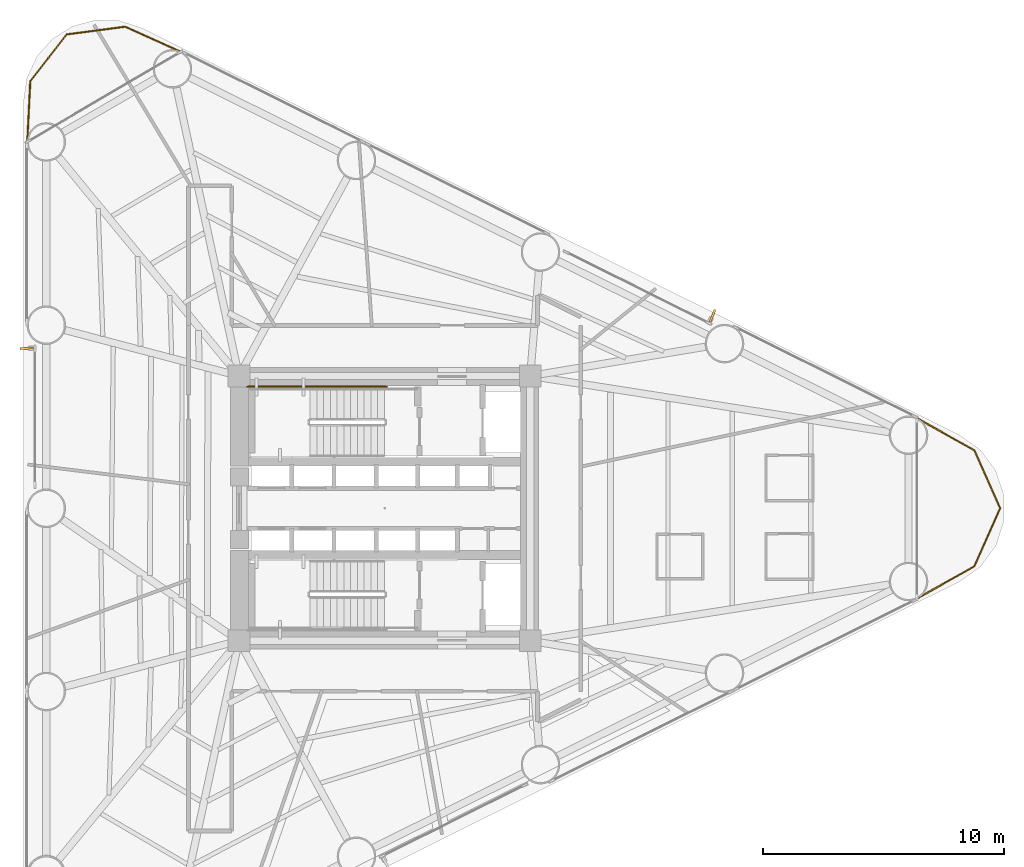
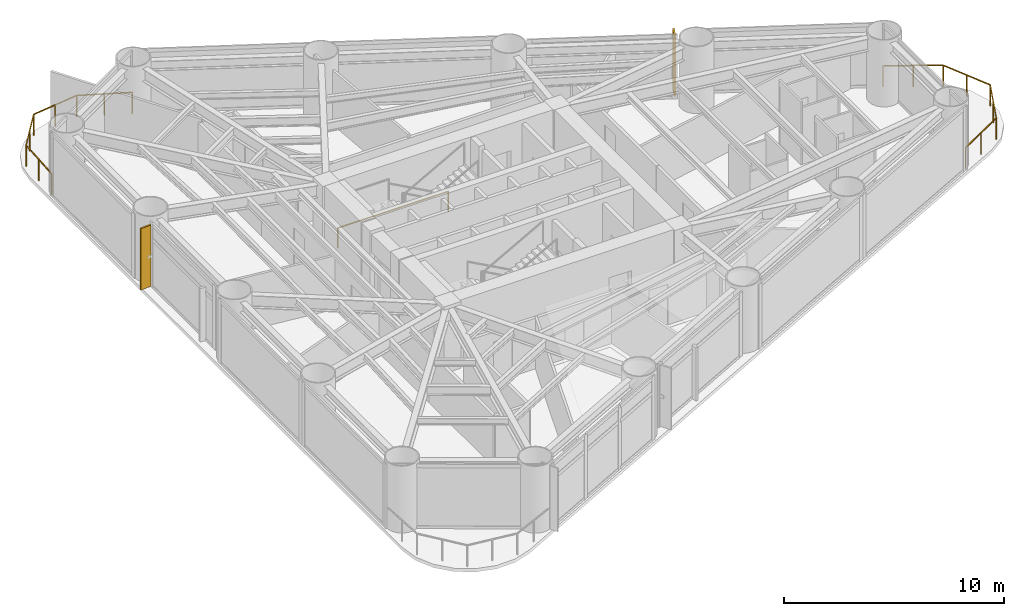
# One storey, part 11 of 11: 3 railings, 2 shading devices.
"""IFC4 building model written with IfcOpenShell, lengths in metres."""

from ifc_helpers import new_model, si_unit, direction, frame, origin, origin_2d, place, context, subcontext, project, spatial, rectangle, extrude, source, transform, mapped, material, material_profile, profile_set, type_object, element, save


model = new_model("IFC4")

# Units and contexts
model_context = context("Model", 3, precision=1e-05, world=origin(), true_north=direction((0.0, 1.0)))
body_context = subcontext(model_context, "Body", "Model", "MODEL_VIEW")
ifc_project = project(units=[si_unit("LENGTHUNIT", "METRE"), si_unit("AREAUNIT", "SQUARE_METRE"), si_unit("VOLUMEUNIT", "CUBIC_METRE"), si_unit("PLANEANGLEUNIT", "RADIAN"), si_unit("MASSUNIT", "GRAM", prefix="KILO")], contexts=[model_context])

# Site, building, storey
site_placement = place(None, origin())
site = spatial("IfcSite", under=ifc_project, at=site_placement, CompositionType="ELEMENT")
building_placement = place(site_placement, origin())
building = spatial("IfcBuilding", under=site, at=building_placement, Name="Yunling Apex Tower", CompositionType="ELEMENT")
storey_placement = place(building_placement, frame((0.0, 0.0, 42.300048828125)))
storey = spatial("IfcBuildingStorey", under=building, at=storey_placement, Name="L12", CompositionType="ELEMENT", Elevation=42.300048828125)

# Railings
ifc_material_1 = material(Name="Bronze anodised aluminium", Category="aluminium")
railing_type_1 = type_object("IfcRailingType", Name="RL-BAL-1200", PredefinedType="BALUSTRADE", material=ifc_material_1)
railing_1_placement = place(storey_placement, frame((22.1181640625, 3.74609375, 0.0)))
element("IfcRailing", 1, at=railing_1_placement, inside=storey, type_object=railing_type_1, Name="RL-CRNSILL-L12-1", PredefinedType="BALUSTRADE", context=body_context, shape_type="SweptSolid", body=[
    extrude(rectangle(XDim=0.0439453125, YDim=0.0439453125, at=origin_2d()), origin(), (0.0, 0.0, 1.0), 1.199951171875),
    extrude(rectangle(XDim=0.0439453125, YDim=0.0439453125, at=origin_2d()), frame((2.380615234375, -1.3349609375, 0.0)), (0.0, 0.0, 1.0), 1.199951171875),
    extrude(rectangle(XDim=0.050048828125, YDim=0.050048828125, at=origin_2d()), frame((0.033447265625, -0.018798828125, 1.1748046875), z_axis=(0.872222158118, -0.48910991289, 0.0), x_axis=(0.48910991289, 0.872222158118, 0.0)), (0.0, 0.0, 1.0), 2.652587890625),
    extrude(rectangle(XDim=0.0439453125, YDim=0.0439453125, at=origin_2d()), frame((1.1904296875, -0.66748046875, 0.0)), (0.0, 0.0, 1.0), 1.14599609375),
    extrude(rectangle(XDim=0.0439453125, YDim=0.0439453125, at=origin_2d()), frame((3.45263671875, -3.74609375, 0.0)), (0.0, 0.0, 1.0), 1.199951171875),
    extrude(rectangle(XDim=0.050048828125, YDim=0.050048828125, at=origin_2d()), frame((2.396240234375, -1.369873046875, 1.1748046875), z_axis=(0.406267230745, -0.913754309004, 0.0), x_axis=(0.913754309004, 0.406267230745, 0.0)), (0.0, 0.0, 1.0), 2.56201171875),
    extrude(rectangle(XDim=0.0439453125, YDim=0.0439453125, at=origin_2d()), frame((2.91650390625, -2.54052734375, 0.0)), (0.0, 0.0, 1.0), 1.14599609375),
    extrude(rectangle(XDim=0.0439453125, YDim=0.0439453125, at=origin_2d()), frame((2.380615234375, -6.1572265625, 0.0)), (0.0, 0.0, 1.0), 1.199951171875),
    extrude(rectangle(XDim=0.050048828125, YDim=0.050048828125, at=origin_2d()), frame((3.43701171875, -3.781005859375, 1.1748046875), z_axis=(-0.406267230745, -0.913754309004, 0.0), x_axis=(0.913754309004, -0.406267230745, 0.0)), (0.0, 0.0, 1.0), 2.56201171875),
    extrude(rectangle(XDim=0.0439453125, YDim=0.0439453125, at=origin_2d()), frame((2.91650390625, -4.95166015625, 0.0)), (0.0, 0.0, 1.0), 1.14599609375),
    extrude(rectangle(XDim=0.0439453125, YDim=0.0439453125, at=origin_2d()), frame((0.0, -7.4921875, 0.0)), (0.0, 0.0, 1.0), 1.199951171875),
    extrude(rectangle(XDim=0.050048828125, YDim=0.050048828125, at=origin_2d()), frame((2.34716796875, -6.176025390625, 1.1748046875), z_axis=(-0.872222158118, -0.48910991289, 0.0), x_axis=(0.48910991289, -0.872222158118, 0.0)), (0.0, 0.0, 1.0), 2.652587890625),
    extrude(rectangle(XDim=0.0439453125, YDim=0.0439453125, at=origin_2d()), frame((1.1904296875, -6.82470703125, 0.0)), (0.0, 0.0, 1.0), 1.14599609375),
])
railing_2_placement = place(storey_placement, frame((-14.842041015625, 15.218994140625, 0.0)))
element("IfcRailing", 2, at=railing_2_placement, inside=storey, type_object=railing_type_1, Name="RL-CRNSILL-L12-2", PredefinedType="BALUSTRADE", context=body_context, shape_type="SweptSolid", body=[
    extrude(rectangle(XDim=0.0439453125, YDim=0.0439453125, at=origin_2d()), origin(), (0.0, 0.0, 1.0), 1.199951171875),
    extrude(rectangle(XDim=0.0439453125, YDim=0.0439453125, at=origin_2d()), frame((0.1240234375, 2.52783203125, 0.0)), (0.0, 0.0, 1.0), 1.199951171875),
    extrude(rectangle(XDim=0.050048828125, YDim=0.050048828125, at=origin_2d()), frame((0.001953125, 0.038330078125, 1.1748046875), z_axis=(0.049004218115, 0.998798571588, 0.0), x_axis=(-0.998798571588, 0.049004218115, 0.0)), (0.0, 0.0, 1.0), 2.4541015625),
    extrude(rectangle(XDim=0.0439453125, YDim=0.0439453125, at=origin_2d()), frame((0.06201171875, 1.263916015625, 0.0)), (0.0, 0.0, 1.0), 1.14599609375),
    extrude(rectangle(XDim=0.0439453125, YDim=0.0439453125, at=origin_2d()), frame((1.640625, 4.469482421875, 0.0)), (0.0, 0.0, 1.0), 1.199951171875),
    extrude(rectangle(XDim=0.050048828125, YDim=0.050048828125, at=origin_2d()), frame((0.147705078125, 2.55810546875, 1.1748046875), z_axis=(0.615565197226, 0.788085964832, 0.0), x_axis=(-0.788085964832, 0.615565197226, 0.0)), (0.0, 0.0, 1.0), 2.38720703125),
    extrude(rectangle(XDim=0.0439453125, YDim=0.0439453125, at=origin_2d()), frame((0.88232421875, 3.49853515625, 0.0)), (0.0, 0.0, 1.0), 1.14599609375),
    extrude(rectangle(XDim=0.0439453125, YDim=0.0439453125, at=origin_2d()), frame((4.075439453125, 4.7890625, 0.0)), (0.0, 0.0, 1.0), 1.199951171875),
    extrude(rectangle(XDim=0.050048828125, YDim=0.050048828125, at=origin_2d()), frame((1.6787109375, 4.474365234375, 1.1748046875), z_axis=(0.991495866646, 0.130138182035, 0.0), x_axis=(-0.130138182035, 0.991495866646, 0.0)), (0.0, 0.0, 1.0), 2.379150390625),
    extrude(rectangle(XDim=0.0439453125, YDim=0.0439453125, at=origin_2d()), frame((2.85791015625, 4.62939453125, 0.0)), (0.0, 0.0, 1.0), 1.14599609375),
    extrude(rectangle(XDim=0.0439453125, YDim=0.0439453125, at=origin_2d()), frame((6.382568359375, 3.74609375, 0.0)), (0.0, 0.0, 1.0), 1.199951171875),
    extrude(rectangle(XDim=0.050048828125, YDim=0.050048828125, at=origin_2d()), frame((4.1103515625, 4.773193359375, 1.1748046875), z_axis=(0.911216522497, -0.411927723186, 0.0), x_axis=(0.411927723186, 0.911216522497, 0.0)), (0.0, 0.0, 1.0), 2.455322265625),
    extrude(rectangle(XDim=0.0439453125, YDim=0.0439453125, at=origin_2d()), frame((5.22900390625, 4.267578125, 0.0)), (0.0, 0.0, 1.0), 1.14599609375),
])
ifc_material_2 = material(Name="Steel Q355B", Category="steel")
railing_type_2 = type_object("IfcRailingType", Name="RL-GRD-1150", PredefinedType="GUARDRAIL", material=ifc_material_2)
railing_3_placement = place(storey_placement, frame((0.090087890625, 5.06005859375, 0.0)))
element("IfcRailing", 3, at=railing_3_placement, inside=storey, type_object=railing_type_2, Name="L12 ST-1 stair guard 7", PredefinedType="GUARDRAIL", context=body_context, shape_type="SweptSolid", body=[
    extrude(rectangle(XDim=0.0439453125, YDim=0.0439453125, at=origin_2d()), origin(), (0.0, 0.0, 1.0), 1.14990234375),
    extrude(rectangle(XDim=0.0439453125, YDim=0.0439453125, at=origin_2d()), frame((-5.7900390625, 0.0, 0.0)), (0.0, 0.0, 1.0), 1.14990234375),
    extrude(rectangle(XDim=0.050048828125, YDim=0.050048828125, at=origin_2d()), frame((-0.038330078125, 0.0, 1.125), z_axis=(-1.0, 0.0, 0.0), x_axis=(0.0, -1.0, 0.0)), (0.0, 0.0, 1.0), 5.71337890625),
])

# Shading devices
ifc_material_profile = material_profile(ifc_material_1, rectangle(XDim=0.0849609375, YDim=0.550048828125, at=origin_2d()))
ifc_profile_set = profile_set([ifc_material_profile], Name="Bronze anodised aluminium")
shading_device_type = type_object("IfcShadingDeviceType", Name="FN-BRZ-3", PredefinedType="USERDEFINED", material=ifc_profile_set)
shared_shape = source(origin(), body_context, "Body", "SweptSolid", [
    extrude(rectangle(XDim=0.0849609375, YDim=0.550048828125, at=origin_2d()), origin(), (0.0, 0.0, 1.0), 3.39501953125),
])
for number, where, z_axis, x_axis, name in (
    (4, (13.623291015625, 8.002197265625, 0.06005859375), (0.0, 0.0, 1.0), (-0.922470722095, 0.386067049717, 0.0), "CW-L12-F2-B2-FIN-01"),
    (5, (-14.866943359375, 6.64697265625, 0.06005859375), (0.0, 0.0, 1.0), (0.06540312923, -0.997858923239, 0.0), "CW-L12-F3-B2-FIN-01"),
):
    element("IfcShadingDevice", number, at=place(storey_placement, frame(where, z_axis=z_axis, x_axis=x_axis)), inside=storey, type_object=shading_device_type, Name=name, ObjectType="FIN", PredefinedType="USERDEFINED", context=body_context, shape_type="MappedRepresentation", body=[
        mapped(shared_shape, transform((0.0, 0.0, 0.0), scale=1.0)),
    ])

save(model, "model.ifc")
